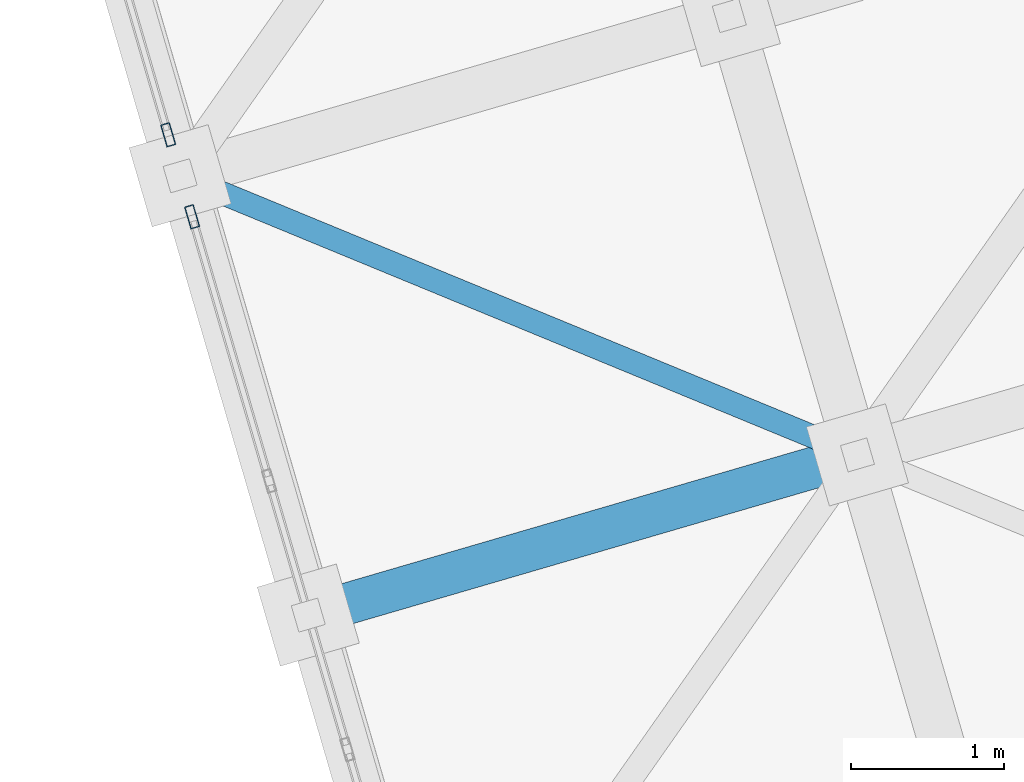
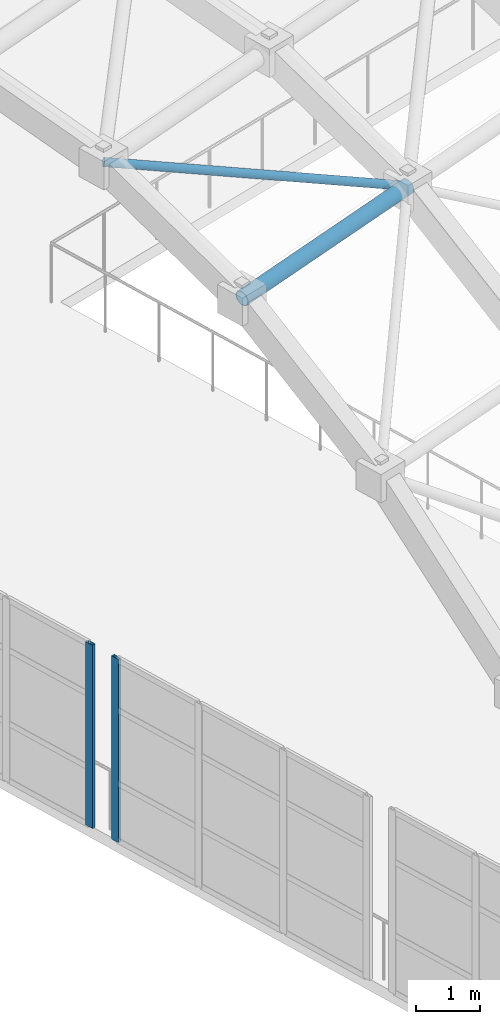
# One storey, part 35 of 248: 4 members, 2 elements without a shape of their own.
"""IFC4 building model written with IfcOpenShell, lengths in metres."""

from ifc_helpers import new_model, si_unit, direction, frame, origin, origin_2d, place, context, subcontext, project, spatial, hollow_rectangle, hollow_circle, extrude, material, layer, layer_set, material_profile, profile_set, type_object, element, aggregate, save


model = new_model("IFC4")

# Units and contexts
model_context = context("Model", 3, precision=1e-05, world=origin(), true_north=direction((0.0, 1.0)))
body_context = subcontext(model_context, "Body", "Model", "MODEL_VIEW")
ifc_project = project(units=[si_unit("LENGTHUNIT", "METRE"), si_unit("AREAUNIT", "SQUARE_METRE"), si_unit("VOLUMEUNIT", "CUBIC_METRE"), si_unit("PLANEANGLEUNIT", "RADIAN"), si_unit("MASSUNIT", "GRAM", prefix="KILO")], contexts=[model_context])

# Site, building, storey
site_placement = place(None, origin())
site = spatial("IfcSite", under=ifc_project, at=site_placement, CompositionType="ELEMENT")
building_placement = place(site_placement, origin())
building = spatial("IfcBuilding", under=site, at=building_placement, Name="Canggui Botanical Conservatory", CompositionType="ELEMENT")
storey_placement = place(building_placement, frame((0.0, 0.0, 5.39990234375)))
storey = spatial("IfcBuildingStorey", under=building, at=storey_placement, Name="L02", CompositionType="ELEMENT", Elevation=5.39990234375)

# Curtain wall, member
ifc_material_1 = material(Name="Thermally Broken Aluminium", Category="aluminium")
ifc_layer = layer(ifc_material_1, 0.14990234375, Name="Thermally Broken Aluminium", Category="aluminium")
ifc_layer_set = layer_set([ifc_layer], Name="Thermally Broken Aluminium")
curtain_wall_type = type_object("IfcCurtainWallType", Name="CW-UNIT-C", PredefinedType="USERDEFINED", material=ifc_layer_set)
curtain_wall_1_placement = place(storey_placement, origin())
curtain_wall_1 = element("IfcCurtainWall", 1, at=curtain_wall_1_placement, inside=storey, type_object=curtain_wall_type, Name="Facade Curtain Wall CW-CONS-GABLE-L02-S-02", ObjectType="UNITISED CURTAIN WALL", PredefinedType="USERDEFINED")
ifc_material_profile_1 = material_profile(ifc_material_1, hollow_rectangle(XDim=0.06005859375, YDim=0.14990234375, WallThickness=0.00341796875, at=origin_2d()), Name="CWM 60x150x3.5")
ifc_profile_set_1 = profile_set([ifc_material_profile_1], Name="Thermally Broken Aluminium")
member_type_1 = type_object("IfcMemberType", Name="CWM-03", PredefinedType="MULLION", material=ifc_profile_set_1)
member_1_placement = place(storey_placement, frame((16.718505859375, 53.251220703125, 0.0), z_axis=(0.0, 0.0, 1.0), x_axis=(-0.960000000002, -0.279999999995, 0.0)))
member_1 = element("IfcMember", 2, at=member_1_placement, type_object=member_type_1, Name="CW-03 mullion 4", PredefinedType="MULLION", context=body_context, shape_type="SweptSolid", body=[
    extrude(hollow_rectangle(XDim=0.06005859375, YDim=0.14990234375, WallThickness=0.00341796875, at=origin_2d()), origin(), (0.0, 0.0, 1.0), 3.5),
])
aggregate(curtain_wall_1, [member_1])

curtain_wall_2_placement = place(storey_placement, origin())
curtain_wall_2 = element("IfcCurtainWall", 3, at=curtain_wall_2_placement, inside=storey, type_object=curtain_wall_type, Name="Facade Curtain Wall CW-CONS-GABLE-L02-S-03", ObjectType="UNITISED CURTAIN WALL", PredefinedType="USERDEFINED")
member_2_placement = place(storey_placement, frame((16.5615234375, 53.788818359375, 0.0), z_axis=(0.0, 0.0, 1.0), x_axis=(-0.960000000002, -0.279999999995, 0.0)))
member_2 = element("IfcMember", 4, at=member_2_placement, type_object=member_type_1, Name="CW-03 mullion 1", PredefinedType="MULLION", context=body_context, shape_type="SweptSolid", body=[
    extrude(hollow_rectangle(XDim=0.06005859375, YDim=0.14990234375, WallThickness=0.00341796875, at=origin_2d()), origin(), (0.0, 0.0, 1.0), 3.5),
])
aggregate(curtain_wall_2, [member_2])

# Members
ifc_material_2 = material(Name="Steel Q355C", Category="steel")
ifc_material_profile_2 = material_profile(ifc_material_2, hollow_circle(Radius=0.136474609375, WallThickness=0.010009765625, at=origin_2d()), Name="CHS 273x10")
ifc_profile_set_2 = profile_set([ifc_material_profile_2], Name="Steel Q355C")
member_type_2 = type_object("IfcMemberType", Name="MEM-GSC03", PredefinedType="CHORD", material=ifc_profile_set_2)
member_3_placement = place(storey_placement, frame((17.47998046875, 50.639892578125, 11.6640625), z_axis=(0.957872417874, 0.27938486839, 0.066517113516), x_axis=(-0.280004999853, 0.959998541695, 0.0)))
element("IfcMember", 5, at=member_3_placement, inside=storey, type_object=member_type_2, Name="Conservatory Gridshell Longitudinal Chord 1-3", PredefinedType="CHORD", context=body_context, shape_type="SweptSolid", body=[
    extrude(hollow_circle(Radius=0.136474609375, WallThickness=0.010009765625, at=origin_2d()), origin(), (0.0, 0.0, 1.0), 3.758544921875),
])
ifc_material_profile_3 = material_profile(ifc_material_2, hollow_circle(Radius=0.075927734375, WallThickness=0.006103515625, at=origin_2d()), Name="CHS 152x6")
ifc_profile_set_3 = profile_set([ifc_material_profile_3], Name="Steel Q355C")
member_type_3 = type_object("IfcMemberType", Name="MEM-GSD04", PredefinedType="RAFTER", material=ifc_profile_set_3)
member_4_placement = place(storey_placement, frame((16.639892578125, 53.52001953125, 12.816162109375), z_axis=(0.90865740133, -0.374514536777, -0.184609286739), x_axis=(0.381064272615, 0.924548549367, 0.0)))
element("IfcMember", 6, at=member_4_placement, inside=storey, type_object=member_type_3, Name="Conservatory Gridshell Diagrid Rafter 1-4", PredefinedType="RAFTER", context=body_context, shape_type="SweptSolid", body=[
    extrude(hollow_circle(Radius=0.075927734375, WallThickness=0.006103515625, at=origin_2d()), origin(), (0.0, 0.0, 1.0), 4.886474609375),
])

save(model, "model.ifc")
